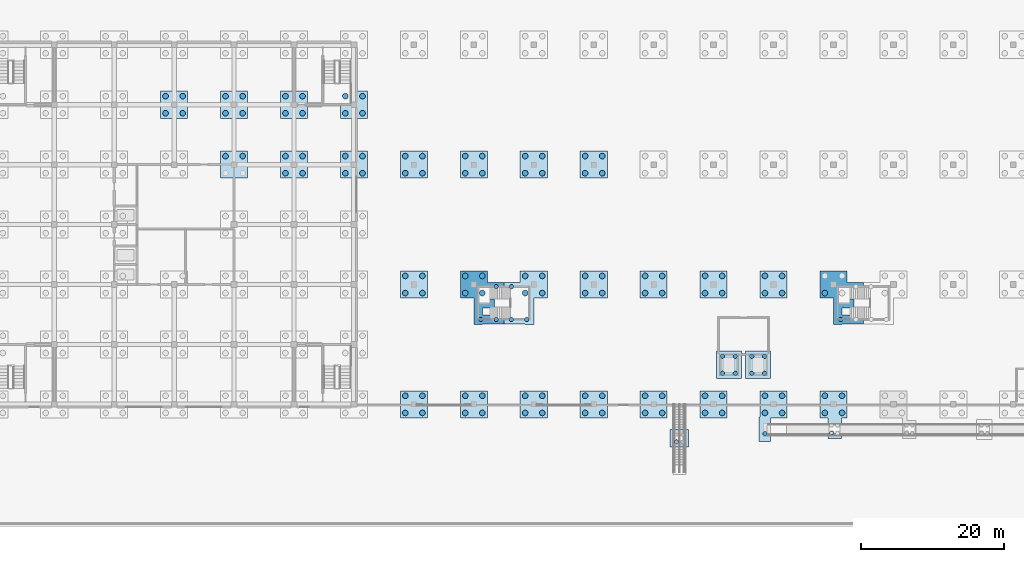
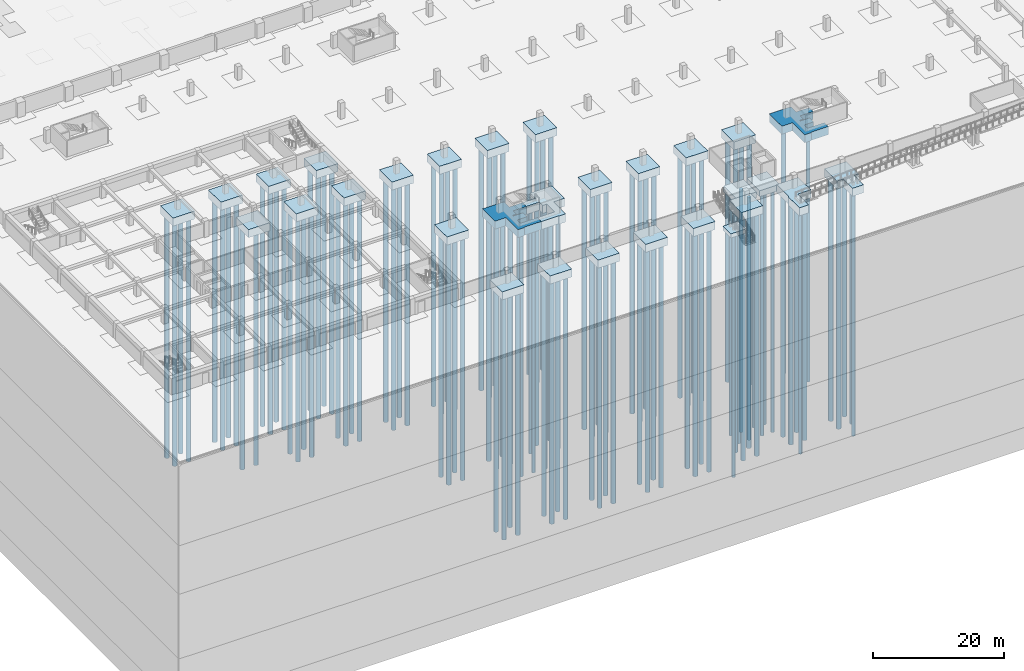
# One storey, part 2 of 67: 121 piles, 30 footings.
"""IFC4 building model written with IfcOpenShell, lengths in metres."""

from ifc_helpers import new_model, si_unit, direction, frame, origin, origin_2d, place, context, subcontext, project, spatial, polyline, circle, outline, extrude, material, material_profile, profile_set, type_object, element, save


model = new_model("IFC4")

# Units and contexts
model_context = context("Model", 3, precision=1e-05, world=origin(), true_north=direction((0.0, 1.0)))
body_context = subcontext(model_context, "Body", "Model", "MODEL_VIEW")
ifc_project = project(units=[si_unit("LENGTHUNIT", "METRE"), si_unit("AREAUNIT", "SQUARE_METRE"), si_unit("VOLUMEUNIT", "CUBIC_METRE"), si_unit("PLANEANGLEUNIT", "RADIAN"), si_unit("MASSUNIT", "GRAM", prefix="KILO")], contexts=[model_context])

# Site, building, storey
site_placement = place(None, origin())
site = spatial("IfcSite", under=ifc_project, at=site_placement, CompositionType="ELEMENT")
building_placement = place(site_placement, origin())
building = spatial("IfcBuilding", under=site, at=building_placement, Name="Rain Tree Exposition and Congress Centre", CompositionType="ELEMENT")
storey_placement = place(building_placement, frame((0.0, 0.0, -3.0)))
storey = spatial("IfcBuildingStorey", under=building, at=storey_placement, Name="B1", CompositionType="ELEMENT", Elevation=-3.0)

# Piles
ifc_material_1 = material(Name="Concrete C35/45", Category="concrete")
ifc_material_profile_1 = material_profile(ifc_material_1, circle(Radius=0.300048828125, at=origin_2d()), Name="D600")
ifc_profile_set_1 = profile_set([ifc_material_profile_1], Name="Concrete C35/45")
pile_type_1 = type_object("IfcPileType", Name="Bored pile D600", PredefinedType="BORED", material=ifc_profile_set_1)
for number, where, z_axis, x_axis, name in (
    (1, (68.199951171875, 11.89990234375, -1.425048828125), (0.0, 0.0, -1.0), (1.0, 0.0, 0.0), "Bored pile 0309"),
    (2, (70.333251953125, 11.89990234375, -1.425048828125), (0.0, 0.0, -1.0), (1.0, 0.0, 0.0), "Bored pile 0312"),
    (3, (70.333251953125, 16.5, -1.425048828125), (0.0, 0.0, -1.0), (1.0, 0.0, 0.0), "Bored pile 0313"),
    (4, (72.466796875, 11.89990234375, -1.425048828125), (0.0, 0.0, -1.0), (1.0, 0.0, 0.0), "Bored pile 0314"),
    (5, (72.466796875, 16.5, -1.425048828125), (0.0, 0.0, -1.0), (1.0, 0.0, 0.0), "Bored pile 0315"),
    (6, (74.60009765625, 11.89990234375, -1.425048828125), (0.0, 0.0, -1.0), (1.0, 0.0, 0.0), "Bored pile 0318"),
    (7, (95.60009765625, -5.25, -0.72509765625), (0.0, 0.0, -1.0), (1.0, 0.0, 0.0), "Bored pile 0537"),
    (8, (117.35009765625, -4.0, -1.425048828125), (0.0, 0.0, -1.0), (1.0, 0.0, 0.0), "Bored pile 0714"),
    (9, (108.0, -4.10009765625, -1.425048828125), (0.0, 0.0, -1.0), (1.0, 0.0, 0.0), "Bored pile 0719"),
    (10, (118.60009765625, 11.89990234375, -1.425048828125), (0.0, 0.0, -1.0), (1.0, 0.0, 0.0), "Bored pile 0727"),
    (11, (102.050048828125, 4.35009765625, -2.52490234375), (0.0, 0.0, -1.0), (1.0, 0.0, 0.0), "Bored pile 2427"),
    (12, (102.050048828125, 6.75, -2.52490234375), (0.0, 0.0, -1.0), (1.0, 0.0, 0.0), "Bored pile 2428"),
    (13, (103.85009765625, 4.35009765625, -2.52490234375), (0.0, 0.0, -1.0), (1.0, 0.0, 0.0), "Bored pile 2429"),
    (14, (103.85009765625, 6.75, -2.52490234375), (0.0, 0.0, -1.0), (1.0, 0.0, 0.0), "Bored pile 2430"),
    (15, (106.14990234375, 4.35009765625, -2.52490234375), (0.0, 0.0, -1.0), (1.0, 0.0, 0.0), "Bored pile 2431"),
    (16, (106.14990234375, 6.75, -2.52490234375), (0.0, 0.0, -1.0), (1.0, 0.0, 0.0), "Bored pile 2432"),
    (17, (107.949951171875, 4.35009765625, -2.52490234375), (0.0, 0.0, -1.0), (1.0, 0.0, 0.0), "Bored pile 2433"),
    (18, (107.949951171875, 6.75, -2.52490234375), (0.0, 0.0, -1.0), (1.0, 0.0, 0.0), "Bored pile 2434"),
):
    element("IfcPile", number, at=place(storey_placement, frame(where, z_axis=z_axis, x_axis=x_axis)), inside=storey, type_object=pile_type_1, Name=name, PredefinedType="BORED", context=body_context, shape_type="SweptSolid", body=[
        extrude(circle(Radius=0.300048828125, at=origin_2d()), origin(), (0.0, 0.0, 1.0), 45.074951171875),
    ])
ifc_material_2 = material(Name="Concrete C35/45", Category="concrete")
ifc_material_profile_2 = material_profile(ifc_material_2, circle(Radius=0.39990234375, at=origin_2d()), Name="D800")
ifc_profile_set_2 = profile_set([ifc_material_profile_2], Name="Concrete C35/45")
pile_type_2 = type_object("IfcPileType", Name="Bored pile D800", PredefinedType="BORED", material=ifc_profile_set_2)
for number, where, z_axis, x_axis, name in (
    (19, (32.39990234375, 34.800048828125, -1.425048828125), (0.0, 0.0, -1.0), (1.0, 0.0, 0.0), "Bored pile 0083"),
    (20, (34.800048828125, 34.800048828125, -1.425048828125), (0.0, 0.0, -1.0), (1.0, 0.0, 0.0), "Bored pile 0084"),
    (21, (24.0, 40.800048828125, -1.425048828125), (0.0, 0.0, -1.0), (1.0, 0.0, 0.0), "Bored pile 0109"),
    (22, (26.39990234375, 40.800048828125, -1.425048828125), (0.0, 0.0, -1.0), (1.0, 0.0, 0.0), "Bored pile 0110"),
    (23, (24.0, 43.199951171875, -1.425048828125), (0.0, 0.0, -1.0), (1.0, 0.0, 0.0), "Bored pile 0111"),
    (24, (26.39990234375, 43.199951171875, -1.425048828125), (0.0, 0.0, -1.0), (1.0, 0.0, 0.0), "Bored pile 0112"),
    (25, (57.60009765625, -1.199951171875, -1.425048828125), (0.0, 0.0, -1.0), (1.0, 0.0, 0.0), "Bored pile 0275"),
    (26, (60.0, -1.199951171875, -1.425048828125), (0.0, 0.0, -1.0), (1.0, 0.0, 0.0), "Bored pile 0276"),
    (27, (57.60009765625, 1.199951171875, -1.425048828125), (0.0, 0.0, -1.0), (1.0, 0.0, 0.0), "Bored pile 0277"),
    (28, (60.0, 1.199951171875, -1.425048828125), (0.0, 0.0, -1.0), (1.0, 0.0, 0.0), "Bored pile 0278"),
    (29, (66.0, -1.199951171875, -1.425048828125), (0.0, 0.0, -1.0), (1.0, 0.0, 0.0), "Bored pile 0279"),
    (30, (68.39990234375, -1.199951171875, -1.425048828125), (0.0, 0.0, -1.0), (1.0, 0.0, 0.0), "Bored pile 0280"),
    (31, (66.0, 1.199951171875, -1.425048828125), (0.0, 0.0, -1.0), (1.0, 0.0, 0.0), "Bored pile 0281"),
    (32, (68.39990234375, 1.199951171875, -1.425048828125), (0.0, 0.0, -1.0), (1.0, 0.0, 0.0), "Bored pile 0282"),
    (33, (57.60009765625, 15.60009765625, -1.425048828125), (0.0, 0.0, -1.0), (1.0, 0.0, 0.0), "Bored pile 0299"),
    (34, (60.0, 15.60009765625, -1.425048828125), (0.0, 0.0, -1.0), (1.0, 0.0, 0.0), "Bored pile 0300"),
    (35, (57.60009765625, 18.0, -1.425048828125), (0.0, 0.0, -1.0), (1.0, 0.0, 0.0), "Bored pile 0301"),
    (36, (60.0, 18.0, -1.425048828125), (0.0, 0.0, -1.0), (1.0, 0.0, 0.0), "Bored pile 0302"),
    (37, (66.0, 15.60009765625, -1.425048828125), (0.0, 0.0, -1.0), (1.0, 0.0, 0.0), "Bored pile 0307"),
    (38, (66.0, 18.0, -1.425048828125), (0.0, 0.0, -1.0), (1.0, 0.0, 0.0), "Bored pile 0308"),
    (39, (68.39990234375, 15.60009765625, -1.425048828125), (0.0, 0.0, -1.0), (1.0, 0.0, 0.0), "Bored pile 0310"),
    (40, (68.39990234375, 18.0, -1.425048828125), (0.0, 0.0, -1.0), (1.0, 0.0, 0.0), "Bored pile 0311"),
    (41, (74.39990234375, 15.60009765625, -1.425048828125), (0.0, 0.0, -1.0), (1.0, 0.0, 0.0), "Bored pile 0316"),
    (42, (74.39990234375, 18.0, -1.425048828125), (0.0, 0.0, -1.0), (1.0, 0.0, 0.0), "Bored pile 0317"),
    (43, (76.800048828125, 15.60009765625, -1.425048828125), (0.0, 0.0, -1.0), (1.0, 0.0, 0.0), "Bored pile 0319"),
    (44, (76.800048828125, 18.0, -1.425048828125), (0.0, 0.0, -1.0), (1.0, 0.0, 0.0), "Bored pile 0320"),
    (45, (40.800048828125, 32.39990234375, -1.425048828125), (0.0, 0.0, -1.0), (1.0, 0.0, 0.0), "Bored pile 0333"),
    (46, (43.199951171875, 32.39990234375, -1.425048828125), (0.0, 0.0, -1.0), (1.0, 0.0, 0.0), "Bored pile 0334"),
    (47, (40.800048828125, 34.800048828125, -1.425048828125), (0.0, 0.0, -1.0), (1.0, 0.0, 0.0), "Bored pile 0335"),
    (48, (43.199951171875, 34.800048828125, -1.425048828125), (0.0, 0.0, -1.0), (1.0, 0.0, 0.0), "Bored pile 0336"),
    (49, (66.0, 32.39990234375, -1.425048828125), (0.0, 0.0, -1.0), (1.0, 0.0, 0.0), "Bored pile 0337"),
    (50, (68.39990234375, 32.39990234375, -1.425048828125), (0.0, 0.0, -1.0), (1.0, 0.0, 0.0), "Bored pile 0338"),
    (51, (66.0, 34.800048828125, -1.425048828125), (0.0, 0.0, -1.0), (1.0, 0.0, 0.0), "Bored pile 0339"),
    (52, (68.39990234375, 34.800048828125, -1.425048828125), (0.0, 0.0, -1.0), (1.0, 0.0, 0.0), "Bored pile 0340"),
    (53, (49.199951171875, 32.39990234375, -1.425048828125), (0.0, 0.0, -1.0), (1.0, 0.0, 0.0), "Bored pile 0341"),
    (54, (51.60009765625, 32.39990234375, -1.425048828125), (0.0, 0.0, -1.0), (1.0, 0.0, 0.0), "Bored pile 0342"),
    (55, (49.199951171875, 34.800048828125, -1.425048828125), (0.0, 0.0, -1.0), (1.0, 0.0, 0.0), "Bored pile 0343"),
    (56, (51.60009765625, 34.800048828125, -1.425048828125), (0.0, 0.0, -1.0), (1.0, 0.0, 0.0), "Bored pile 0344"),
    (57, (57.60009765625, 32.39990234375, -1.425048828125), (0.0, 0.0, -1.0), (1.0, 0.0, 0.0), "Bored pile 0345"),
    (58, (60.0, 32.39990234375, -1.425048828125), (0.0, 0.0, -1.0), (1.0, 0.0, 0.0), "Bored pile 0346"),
    (59, (57.60009765625, 34.800048828125, -1.425048828125), (0.0, 0.0, -1.0), (1.0, 0.0, 0.0), "Bored pile 0347"),
    (60, (60.0, 34.800048828125, -1.425048828125), (0.0, 0.0, -1.0), (1.0, 0.0, 0.0), "Bored pile 0348"),
    (61, (32.39990234375, 40.800048828125, -1.425048828125), (0.0, 0.0, -1.0), (1.0, 0.0, 0.0), "Bored pile 0349"),
    (62, (34.800048828125, 40.800048828125, -1.425048828125), (0.0, 0.0, -1.0), (1.0, 0.0, 0.0), "Bored pile 0350"),
    (63, (32.39990234375, 43.199951171875, -1.425048828125), (0.0, 0.0, -1.0), (1.0, 0.0, 0.0), "Bored pile 0351"),
    (64, (34.800048828125, 43.199951171875, -1.425048828125), (0.0, 0.0, -1.0), (1.0, 0.0, 0.0), "Bored pile 0352"),
    (65, (49.199951171875, 40.800048828125, -1.425048828125), (0.0, 0.0, -1.0), (1.0, 0.0, 0.0), "Bored pile 0353"),
    (66, (51.60009765625, 40.800048828125, -1.425048828125), (0.0, 0.0, -1.0), (1.0, 0.0, 0.0), "Bored pile 0354"),
    (67, (49.199951171875, 43.199951171875, -1.425048828125), (0.0, 0.0, -1.0), (1.0, 0.0, 0.0), "Bored pile 0355"),
    (68, (51.60009765625, 43.199951171875, -1.425048828125), (0.0, 0.0, -1.0), (1.0, 0.0, 0.0), "Bored pile 0356"),
    (69, (40.800048828125, 40.800048828125, -1.425048828125), (0.0, 0.0, -1.0), (1.0, 0.0, 0.0), "Bored pile 0357"),
    (70, (43.199951171875, 40.800048828125, -1.425048828125), (0.0, 0.0, -1.0), (1.0, 0.0, 0.0), "Bored pile 0358"),
    (71, (40.800048828125, 43.199951171875, -1.425048828125), (0.0, 0.0, -1.0), (1.0, 0.0, 0.0), "Bored pile 0359"),
    (72, (43.199951171875, 43.199951171875, -1.425048828125), (0.0, 0.0, -1.0), (1.0, 0.0, 0.0), "Bored pile 0360"),
    (73, (99.60009765625, -1.199951171875, -1.425048828125), (0.0, 0.0, -1.0), (1.0, 0.0, 0.0), "Bored pile 0538"),
    (74, (102.0, -1.199951171875, -1.425048828125), (0.0, 0.0, -1.0), (1.0, 0.0, 0.0), "Bored pile 0539"),
    (75, (99.60009765625, 1.199951171875, -1.425048828125), (0.0, 0.0, -1.0), (1.0, 0.0, 0.0), "Bored pile 0540"),
    (76, (102.0, 1.199951171875, -1.425048828125), (0.0, 0.0, -1.0), (1.0, 0.0, 0.0), "Bored pile 0541"),
    (77, (91.199951171875, -1.199951171875, -1.425048828125), (0.0, 0.0, -1.0), (1.0, 0.0, 0.0), "Bored pile 0542"),
    (78, (93.60009765625, -1.199951171875, -1.425048828125), (0.0, 0.0, -1.0), (1.0, 0.0, 0.0), "Bored pile 0543"),
    (79, (91.199951171875, 1.199951171875, -1.425048828125), (0.0, 0.0, -1.0), (1.0, 0.0, 0.0), "Bored pile 0544"),
    (80, (93.60009765625, 1.199951171875, -1.425048828125), (0.0, 0.0, -1.0), (1.0, 0.0, 0.0), "Bored pile 0545"),
    (81, (74.39990234375, -1.199951171875, -1.425048828125), (0.0, 0.0, -1.0), (1.0, 0.0, 0.0), "Bored pile 0546"),
    (82, (76.800048828125, -1.199951171875, -1.425048828125), (0.0, 0.0, -1.0), (1.0, 0.0, 0.0), "Bored pile 0547"),
    (83, (74.39990234375, 1.199951171875, -1.425048828125), (0.0, 0.0, -1.0), (1.0, 0.0, 0.0), "Bored pile 0548"),
    (84, (76.800048828125, 1.199951171875, -1.425048828125), (0.0, 0.0, -1.0), (1.0, 0.0, 0.0), "Bored pile 0549"),
    (85, (82.800048828125, -1.199951171875, -1.425048828125), (0.0, 0.0, -1.0), (1.0, 0.0, 0.0), "Bored pile 0550"),
    (86, (85.199951171875, -1.199951171875, -1.425048828125), (0.0, 0.0, -1.0), (1.0, 0.0, 0.0), "Bored pile 0551"),
    (87, (82.800048828125, 1.199951171875, -1.425048828125), (0.0, 0.0, -1.0), (1.0, 0.0, 0.0), "Bored pile 0552"),
    (88, (85.199951171875, 1.199951171875, -1.425048828125), (0.0, 0.0, -1.0), (1.0, 0.0, 0.0), "Bored pile 0553"),
    (89, (82.800048828125, 15.60009765625, -1.425048828125), (0.0, 0.0, -1.0), (1.0, 0.0, 0.0), "Bored pile 0554"),
    (90, (85.199951171875, 15.60009765625, -1.425048828125), (0.0, 0.0, -1.0), (1.0, 0.0, 0.0), "Bored pile 0555"),
    (91, (82.800048828125, 18.0, -1.425048828125), (0.0, 0.0, -1.0), (1.0, 0.0, 0.0), "Bored pile 0556"),
    (92, (85.199951171875, 18.0, -1.425048828125), (0.0, 0.0, -1.0), (1.0, 0.0, 0.0), "Bored pile 0557"),
    (93, (91.199951171875, 15.60009765625, -1.425048828125), (0.0, 0.0, -1.0), (1.0, 0.0, 0.0), "Bored pile 0558"),
    (94, (93.60009765625, 15.60009765625, -1.425048828125), (0.0, 0.0, -1.0), (1.0, 0.0, 0.0), "Bored pile 0559"),
    (95, (91.199951171875, 18.0, -1.425048828125), (0.0, 0.0, -1.0), (1.0, 0.0, 0.0), "Bored pile 0560"),
    (96, (93.60009765625, 18.0, -1.425048828125), (0.0, 0.0, -1.0), (1.0, 0.0, 0.0), "Bored pile 0561"),
    (97, (99.60009765625, 15.60009765625, -1.425048828125), (0.0, 0.0, -1.0), (1.0, 0.0, 0.0), "Bored pile 0562"),
    (98, (102.0, 15.60009765625, -1.425048828125), (0.0, 0.0, -1.0), (1.0, 0.0, 0.0), "Bored pile 0563"),
    (99, (99.60009765625, 18.0, -1.425048828125), (0.0, 0.0, -1.0), (1.0, 0.0, 0.0), "Bored pile 0564"),
    (100, (102.0, 18.0, -1.425048828125), (0.0, 0.0, -1.0), (1.0, 0.0, 0.0), "Bored pile 0565"),
    (101, (82.800048828125, 32.39990234375, -1.425048828125), (0.0, 0.0, -1.0), (1.0, 0.0, 0.0), "Bored pile 0566"),
    (102, (85.199951171875, 32.39990234375, -1.425048828125), (0.0, 0.0, -1.0), (1.0, 0.0, 0.0), "Bored pile 0567"),
    (103, (82.800048828125, 34.800048828125, -1.425048828125), (0.0, 0.0, -1.0), (1.0, 0.0, 0.0), "Bored pile 0568"),
    (104, (85.199951171875, 34.800048828125, -1.425048828125), (0.0, 0.0, -1.0), (1.0, 0.0, 0.0), "Bored pile 0569"),
    (105, (74.39990234375, 32.39990234375, -1.425048828125), (0.0, 0.0, -1.0), (1.0, 0.0, 0.0), "Bored pile 0570"),
    (106, (76.800048828125, 32.39990234375, -1.425048828125), (0.0, 0.0, -1.0), (1.0, 0.0, 0.0), "Bored pile 0571"),
    (107, (74.39990234375, 34.800048828125, -1.425048828125), (0.0, 0.0, -1.0), (1.0, 0.0, 0.0), "Bored pile 0572"),
    (108, (76.800048828125, 34.800048828125, -1.425048828125), (0.0, 0.0, -1.0), (1.0, 0.0, 0.0), "Bored pile 0573"),
    (109, (116.39990234375, -1.199951171875, -1.425048828125), (0.0, 0.0, -1.0), (1.0, 0.0, 0.0), "Bored pile 0710"),
    (110, (118.800048828125, -1.199951171875, -1.425048828125), (0.0, 0.0, -1.0), (1.0, 0.0, 0.0), "Bored pile 0711"),
    (111, (116.39990234375, 1.199951171875, -1.425048828125), (0.0, 0.0, -1.0), (1.0, 0.0, 0.0), "Bored pile 0712"),
    (112, (118.800048828125, 1.199951171875, -1.425048828125), (0.0, 0.0, -1.0), (1.0, 0.0, 0.0), "Bored pile 0713"),
    (113, (108.0, -1.199951171875, -1.425048828125), (0.0, 0.0, -1.0), (1.0, 0.0, 0.0), "Bored pile 0715"),
    (114, (110.39990234375, -1.199951171875, -1.425048828125), (0.0, 0.0, -1.0), (1.0, 0.0, 0.0), "Bored pile 0716"),
    (115, (108.0, 1.199951171875, -1.425048828125), (0.0, 0.0, -1.0), (1.0, 0.0, 0.0), "Bored pile 0717"),
    (116, (110.39990234375, 1.199951171875, -1.425048828125), (0.0, 0.0, -1.0), (1.0, 0.0, 0.0), "Bored pile 0718"),
    (117, (116.39990234375, 15.60009765625, -1.425048828125), (0.0, 0.0, -1.0), (1.0, 0.0, 0.0), "Bored pile 0725"),
    (118, (108.0, 15.60009765625, -1.425048828125), (0.0, 0.0, -1.0), (1.0, 0.0, 0.0), "Bored pile 0739"),
    (119, (110.39990234375, 15.60009765625, -1.425048828125), (0.0, 0.0, -1.0), (1.0, 0.0, 0.0), "Bored pile 0740"),
    (120, (108.0, 18.0, -1.425048828125), (0.0, 0.0, -1.0), (1.0, 0.0, 0.0), "Bored pile 0741"),
    (121, (110.39990234375, 18.0, -1.425048828125), (0.0, 0.0, -1.0), (1.0, 0.0, 0.0), "Bored pile 0742"),
):
    element("IfcPile", number, at=place(storey_placement, frame(where, z_axis=z_axis, x_axis=x_axis)), inside=storey, type_object=pile_type_2, Name=name, PredefinedType="BORED", context=body_context, shape_type="SweptSolid", body=[
        extrude(circle(Radius=0.39990234375, at=origin_2d()), origin(), (0.0, 0.0, 1.0), 45.074951171875),
    ])

# Footings
ifc_material_3 = material(Name="Concrete C35/45", Category="concrete")
footing_type_1 = type_object("IfcFootingType", Name="Pile cap 1100 thick", PredefinedType="PILE_CAP", material=ifc_material_3)
footing_1_placement = place(storey_placement, frame((0.0, 0.0, -2.60009765625)))
element("IfcFooting", 122, at=footing_1_placement, inside=storey, type_object=footing_type_1, Name="Pile cap 379", PredefinedType="PILE_CAP", context=body_context, shape_type="SweptSolid", body=[
    extrude(outline(polyline([(104.699951171875, 3.60009765625), (104.699951171875, 7.5), (101.199951171875, 7.5), (101.199951171875, 3.60009765625), (104.699951171875, 3.60009765625)])), origin(), (0.0, 0.0, 1.0), 1.10009765625),
])
footing_2_placement = place(storey_placement, frame((0.0, 0.0, -2.60009765625)))
element("IfcFooting", 123, at=footing_2_placement, inside=storey, type_object=footing_type_1, Name="Pile cap 380", PredefinedType="PILE_CAP", context=body_context, shape_type="SweptSolid", body=[
    extrude(outline(polyline([(108.800048828125, 3.60009765625), (108.800048828125, 7.5), (105.300048828125, 7.5), (105.300048828125, 3.60009765625), (108.800048828125, 3.60009765625)])), origin(), (0.0, 0.0, 1.0), 1.10009765625),
])
ifc_material_4 = material(Name="Concrete C35/45", Category="concrete")
footing_type_2 = type_object("IfcFootingType", Name="Pile cap 1500 thick", PredefinedType="PILE_CAP", material=ifc_material_4)
footing_3_placement = place(storey_placement, frame((0.0, 0.0, -1.5)))
element("IfcFooting", 124, at=footing_3_placement, inside=storey, type_object=footing_type_2, Name="Pile cap 021", PredefinedType="PILE_CAP", context=body_context, shape_type="SweptSolid", body=[
    extrude(outline(polyline([(35.5, 31.699951171875), (35.5, 35.5), (31.699951171875, 35.5), (31.699951171875, 31.699951171875), (35.5, 31.699951171875)])), origin(), (0.0, 0.0, 1.0), 1.5),
])
footing_4_placement = place(storey_placement, frame((0.0, 0.0, -1.5)))
element("IfcFooting", 125, at=footing_4_placement, inside=storey, type_object=footing_type_2, Name="Pile cap 028", PredefinedType="PILE_CAP", context=body_context, shape_type="SweptSolid", body=[
    extrude(outline(polyline([(27.10009765625, 40.10009765625), (27.10009765625, 43.89990234375), (23.300048828125, 43.89990234375), (23.300048828125, 40.10009765625), (27.10009765625, 40.10009765625)])), origin(), (0.0, 0.0, 1.0), 1.5),
])
footing_5_placement = place(storey_placement, frame((0.0, 0.0, -1.5)))
element("IfcFooting", 126, at=footing_5_placement, inside=storey, type_object=footing_type_2, Name="Pile cap 055", PredefinedType="PILE_CAP", context=body_context, shape_type="SweptSolid", body=[
    extrude(outline(polyline([(60.699951171875, -1.89990234375), (60.699951171875, 1.89990234375), (56.89990234375, 1.89990234375), (56.89990234375, -1.89990234375), (60.699951171875, -1.89990234375)])), origin(), (0.0, 0.0, 1.0), 1.5),
])
footing_6_placement = place(storey_placement, frame((0.0, 0.0, -1.5)))
element("IfcFooting", 127, at=footing_6_placement, inside=storey, type_object=footing_type_2, Name="Pile cap 056", PredefinedType="PILE_CAP", context=body_context, shape_type="SweptSolid", body=[
    extrude(outline(polyline([(69.10009765625, -1.89990234375), (69.10009765625, 1.89990234375), (65.300048828125, 1.89990234375), (65.300048828125, -1.89990234375), (69.10009765625, -1.89990234375)])), origin(), (0.0, 0.0, 1.0), 1.5),
])
footing_7_placement = place(storey_placement, frame((0.0, 0.0, -1.5)))
element("IfcFooting", 128, at=footing_7_placement, inside=storey, type_object=footing_type_2, Name="Pile cap 061", PredefinedType="PILE_CAP", context=body_context, shape_type="SweptSolid", body=[
    extrude(outline(polyline([(60.699951171875, 14.89990234375), (60.699951171875, 18.699951171875), (56.89990234375, 18.699951171875), (56.89990234375, 14.89990234375), (60.699951171875, 14.89990234375)])), origin(), (0.0, 0.0, 1.0), 1.5),
])
footing_8_placement = place(storey_placement, frame((0.0, 0.0, -1.5)))
element("IfcFooting", 129, at=footing_8_placement, inside=storey, type_object=footing_type_2, Name="Pile cap 066", PredefinedType="PILE_CAP", context=body_context, shape_type="SweptSolid", body=[
    extrude(outline(polyline([(43.89990234375, 31.699951171875), (43.89990234375, 35.5), (40.10009765625, 35.5), (40.10009765625, 31.699951171875), (43.89990234375, 31.699951171875)])), origin(), (0.0, 0.0, 1.0), 1.5),
])
footing_9_placement = place(storey_placement, frame((0.0, 0.0, -1.5)))
element("IfcFooting", 130, at=footing_9_placement, inside=storey, type_object=footing_type_2, Name="Pile cap 067", PredefinedType="PILE_CAP", context=body_context, shape_type="SweptSolid", body=[
    extrude(outline(polyline([(69.10009765625, 31.699951171875), (69.10009765625, 35.5), (65.300048828125, 35.5), (65.300048828125, 31.699951171875), (69.10009765625, 31.699951171875)])), origin(), (0.0, 0.0, 1.0), 1.5),
])
footing_10_placement = place(storey_placement, frame((0.0, 0.0, -1.5)))
element("IfcFooting", 131, at=footing_10_placement, inside=storey, type_object=footing_type_2, Name="Pile cap 068", PredefinedType="PILE_CAP", context=body_context, shape_type="SweptSolid", body=[
    extrude(outline(polyline([(52.300048828125, 31.699951171875), (52.300048828125, 35.5), (48.5, 35.5), (48.5, 31.699951171875), (52.300048828125, 31.699951171875)])), origin(), (0.0, 0.0, 1.0), 1.5),
])
footing_11_placement = place(storey_placement, frame((0.0, 0.0, -1.5)))
element("IfcFooting", 132, at=footing_11_placement, inside=storey, type_object=footing_type_2, Name="Pile cap 069", PredefinedType="PILE_CAP", context=body_context, shape_type="SweptSolid", body=[
    extrude(outline(polyline([(60.699951171875, 31.699951171875), (60.699951171875, 35.5), (56.89990234375, 35.5), (56.89990234375, 31.699951171875), (60.699951171875, 31.699951171875)])), origin(), (0.0, 0.0, 1.0), 1.5),
])
footing_12_placement = place(storey_placement, frame((0.0, 0.0, -1.5)))
element("IfcFooting", 133, at=footing_12_placement, inside=storey, type_object=footing_type_2, Name="Pile cap 070", PredefinedType="PILE_CAP", context=body_context, shape_type="SweptSolid", body=[
    extrude(outline(polyline([(35.5, 40.10009765625), (35.5, 43.89990234375), (31.699951171875, 43.89990234375), (31.699951171875, 40.10009765625), (35.5, 40.10009765625)])), origin(), (0.0, 0.0, 1.0), 1.5),
])
footing_13_placement = place(storey_placement, frame((0.0, 0.0, -1.5)))
element("IfcFooting", 134, at=footing_13_placement, inside=storey, type_object=footing_type_2, Name="Pile cap 071", PredefinedType="PILE_CAP", context=body_context, shape_type="SweptSolid", body=[
    extrude(outline(polyline([(52.300048828125, 40.10009765625), (52.300048828125, 43.89990234375), (48.5, 43.89990234375), (48.5, 40.10009765625), (52.300048828125, 40.10009765625)])), origin(), (0.0, 0.0, 1.0), 1.5),
])
footing_14_placement = place(storey_placement, frame((0.0, 0.0, -1.5)))
element("IfcFooting", 135, at=footing_14_placement, inside=storey, type_object=footing_type_2, Name="Pile cap 072", PredefinedType="PILE_CAP", context=body_context, shape_type="SweptSolid", body=[
    extrude(outline(polyline([(43.89990234375, 40.10009765625), (43.89990234375, 43.89990234375), (40.10009765625, 43.89990234375), (40.10009765625, 40.10009765625), (43.89990234375, 40.10009765625)])), origin(), (0.0, 0.0, 1.0), 1.5),
])
footing_15_placement = place(storey_placement, frame((0.0, 0.0, -1.5)))
element("IfcFooting", 136, at=footing_15_placement, inside=storey, type_object=footing_type_2, Name="Pile cap 102", PredefinedType="PILE_CAP", context=body_context, shape_type="SweptSolid", body=[
    extrude(outline(polyline([(102.699951171875, -1.89990234375), (102.699951171875, 1.89990234375), (98.89990234375, 1.89990234375), (98.89990234375, -1.89990234375), (102.699951171875, -1.89990234375)])), origin(), (0.0, 0.0, 1.0), 1.5),
])
footing_16_placement = place(storey_placement, frame((0.0, 0.0, -1.5)))
element("IfcFooting", 137, at=footing_16_placement, inside=storey, type_object=footing_type_2, Name="Pile cap 103", PredefinedType="PILE_CAP", context=body_context, shape_type="SweptSolid", body=[
    extrude(outline(polyline([(94.300048828125, -1.89990234375), (94.300048828125, 1.89990234375), (90.5, 1.89990234375), (90.5, -1.89990234375), (94.300048828125, -1.89990234375)])), origin(), (0.0, 0.0, 1.0), 1.5),
])
footing_17_placement = place(storey_placement, frame((0.0, 0.0, -1.5)))
element("IfcFooting", 138, at=footing_17_placement, inside=storey, type_object=footing_type_2, Name="Pile cap 104", PredefinedType="PILE_CAP", context=body_context, shape_type="SweptSolid", body=[
    extrude(outline(polyline([(77.5, -1.89990234375), (77.5, 1.89990234375), (73.699951171875, 1.89990234375), (73.699951171875, -1.89990234375), (77.5, -1.89990234375)])), origin(), (0.0, 0.0, 1.0), 1.5),
])
footing_18_placement = place(storey_placement, frame((0.0, 0.0, -1.5)))
element("IfcFooting", 139, at=footing_18_placement, inside=storey, type_object=footing_type_2, Name="Pile cap 105", PredefinedType="PILE_CAP", context=body_context, shape_type="SweptSolid", body=[
    extrude(outline(polyline([(85.89990234375, -1.89990234375), (85.89990234375, 1.89990234375), (82.10009765625, 1.89990234375), (82.10009765625, -1.89990234375), (85.89990234375, -1.89990234375)])), origin(), (0.0, 0.0, 1.0), 1.5),
])
footing_19_placement = place(storey_placement, frame((0.0, 0.0, -1.5)))
element("IfcFooting", 140, at=footing_19_placement, inside=storey, type_object=footing_type_2, Name="Pile cap 106", PredefinedType="PILE_CAP", context=body_context, shape_type="SweptSolid", body=[
    extrude(outline(polyline([(85.89990234375, 14.89990234375), (85.89990234375, 18.699951171875), (82.10009765625, 18.699951171875), (82.10009765625, 14.89990234375), (85.89990234375, 14.89990234375)])), origin(), (0.0, 0.0, 1.0), 1.5),
])
footing_20_placement = place(storey_placement, frame((0.0, 0.0, -1.5)))
element("IfcFooting", 141, at=footing_20_placement, inside=storey, type_object=footing_type_2, Name="Pile cap 107", PredefinedType="PILE_CAP", context=body_context, shape_type="SweptSolid", body=[
    extrude(outline(polyline([(94.300048828125, 14.89990234375), (94.300048828125, 18.699951171875), (90.5, 18.699951171875), (90.5, 14.89990234375), (94.300048828125, 14.89990234375)])), origin(), (0.0, 0.0, 1.0), 1.5),
])
footing_21_placement = place(storey_placement, frame((0.0, 0.0, -1.5)))
element("IfcFooting", 142, at=footing_21_placement, inside=storey, type_object=footing_type_2, Name="Pile cap 108", PredefinedType="PILE_CAP", context=body_context, shape_type="SweptSolid", body=[
    extrude(outline(polyline([(102.699951171875, 14.89990234375), (102.699951171875, 18.699951171875), (98.89990234375, 18.699951171875), (98.89990234375, 14.89990234375), (102.699951171875, 14.89990234375)])), origin(), (0.0, 0.0, 1.0), 1.5),
])
footing_22_placement = place(storey_placement, frame((0.0, 0.0, -1.5)))
element("IfcFooting", 143, at=footing_22_placement, inside=storey, type_object=footing_type_2, Name="Pile cap 109", PredefinedType="PILE_CAP", context=body_context, shape_type="SweptSolid", body=[
    extrude(outline(polyline([(85.89990234375, 31.699951171875), (85.89990234375, 35.5), (82.10009765625, 35.5), (82.10009765625, 31.699951171875), (85.89990234375, 31.699951171875)])), origin(), (0.0, 0.0, 1.0), 1.5),
])
footing_23_placement = place(storey_placement, frame((0.0, 0.0, -1.5)))
element("IfcFooting", 144, at=footing_23_placement, inside=storey, type_object=footing_type_2, Name="Pile cap 110", PredefinedType="PILE_CAP", context=body_context, shape_type="SweptSolid", body=[
    extrude(outline(polyline([(77.5, 31.699951171875), (77.5, 35.5), (73.699951171875, 35.5), (73.699951171875, 31.699951171875), (77.5, 31.699951171875)])), origin(), (0.0, 0.0, 1.0), 1.5),
])
footing_24_placement = place(storey_placement, frame((0.0, 0.0, -1.5)))
element("IfcFooting", 145, at=footing_24_placement, inside=storey, type_object=footing_type_2, Name="Pile cap 144", PredefinedType="PILE_CAP", context=body_context, shape_type="SweptSolid", body=[
    extrude(outline(polyline([(111.10009765625, 14.89990234375), (111.10009765625, 18.699951171875), (107.300048828125, 18.699951171875), (107.300048828125, 14.89990234375), (111.10009765625, 14.89990234375)])), origin(), (0.0, 0.0, 1.0), 1.5),
])
ifc_material_5 = material(Name="Concrete C35/45", Category="concrete")
footing_type_3 = type_object("IfcFootingType", Name="Strip footing 1500 thick", PredefinedType="STRIP_FOOTING", material=ifc_material_5)
footing_25_placement = place(storey_placement, frame((0.0, 0.0, -1.5)))
element("IfcFooting", 146, at=footing_25_placement, inside=storey, type_object=footing_type_3, Name="Strip footing 005", PredefinedType="STRIP_FOOTING", context=body_context, shape_type="SweptSolid", body=[
    extrude(outline(polyline([(68.39990234375, 11.199951171875), (68.39990234375, 11.300048828125), (71.39990234375, 11.300048828125), (71.39990234375, 12.5), (68.39990234375, 12.5), (68.39990234375, 13.5), (70.10009765625, 13.5), (70.10009765625, 14.699951171875), (69.5, 14.699951171875), (68.39990234375, 14.699951171875), (68.39990234375, 14.89990234375), (69.10009765625, 14.89990234375), (69.10009765625, 15.89990234375), (71.39990234375, 15.89990234375), (71.39990234375, 17.10009765625), (69.10009765625, 17.10009765625), (69.10009765625, 18.699951171875), (65.300048828125, 18.699951171875), (65.300048828125, 14.89990234375), (67.199951171875, 14.89990234375), (67.199951171875, 11.199951171875), (68.39990234375, 11.199951171875)])), origin(), (0.0, 0.0, 1.0), 1.5),
])
footing_26_placement = place(storey_placement, frame((0.0, 0.0, -1.5)))
element("IfcFooting", 147, at=footing_26_placement, inside=storey, type_object=footing_type_3, Name="Strip footing 006", PredefinedType="STRIP_FOOTING", context=body_context, shape_type="SweptSolid", body=[
    extrude(outline(polyline([(73.699951171875, 17.10009765625), (71.39990234375, 17.10009765625), (71.39990234375, 15.89990234375), (73.699951171875, 15.89990234375), (73.699951171875, 14.89990234375), (74.39990234375, 14.89990234375), (74.39990234375, 12.5), (71.39990234375, 12.5), (71.39990234375, 11.300048828125), (74.39990234375, 11.300048828125), (74.39990234375, 11.199951171875), (75.60009765625, 11.199951171875), (75.60009765625, 11.800048828125), (75.60009765625, 14.89990234375), (77.5, 14.89990234375), (77.5, 18.699951171875), (73.699951171875, 18.699951171875), (73.699951171875, 17.10009765625)])), origin(), (0.0, 0.0, 1.0), 1.5),
])
footing_27_placement = place(storey_placement, frame((0.0, 0.0, -1.5)))
element("IfcFooting", 148, at=footing_27_placement, inside=storey, type_object=footing_type_3, Name="Strip footing 016", PredefinedType="STRIP_FOOTING", context=body_context, shape_type="SweptSolid", body=[
    extrude(outline(polyline([(116.800048828125, -4.75), (118.699951171875, -4.75), (118.699951171875, -1.89990234375), (119.5, -1.89990234375), (119.5, 1.89990234375), (115.699951171875, 1.89990234375), (115.699951171875, -1.89990234375), (116.800048828125, -1.89990234375), (116.800048828125, -4.75)])), origin(), (0.0, 0.0, 1.0), 1.5),
])
footing_28_placement = place(storey_placement, frame((0.0, 0.0, -1.5)))
element("IfcFooting", 149, at=footing_28_placement, inside=storey, type_object=footing_type_3, Name="Strip footing 017", PredefinedType="STRIP_FOOTING", context=body_context, shape_type="SweptSolid", body=[
    extrude(outline(polyline([(107.199951171875, -1.800048828125), (107.199951171875, -2.60009765625), (107.199951171875, -5.199951171875), (108.800048828125, -5.199951171875), (108.800048828125, -4.39990234375), (108.800048828125, -1.89990234375), (111.10009765625, -1.89990234375), (111.10009765625, 1.89990234375), (107.300048828125, 1.89990234375), (107.300048828125, -1.800048828125), (107.199951171875, -1.800048828125)])), origin(), (0.0, 0.0, 1.0), 1.5),
])
footing_29_placement = place(storey_placement, frame((0.0, 0.0, -1.5)))
element("IfcFooting", 150, at=footing_29_placement, inside=storey, type_object=footing_type_3, Name="Strip footing 020", PredefinedType="STRIP_FOOTING", context=body_context, shape_type="SweptSolid", body=[
    extrude(outline(polyline([(118.800048828125, 11.199951171875), (118.800048828125, 11.300048828125), (121.800048828125, 11.300048828125), (121.800048828125, 12.5), (118.800048828125, 12.5), (118.800048828125, 13.5), (120.5, 13.5), (120.5, 14.699951171875), (119.89990234375, 14.699951171875), (118.800048828125, 14.699951171875), (118.800048828125, 14.89990234375), (119.5, 14.89990234375), (119.5, 15.89990234375), (121.800048828125, 15.89990234375), (121.800048828125, 17.10009765625), (119.5, 17.10009765625), (119.5, 18.699951171875), (115.699951171875, 18.699951171875), (115.699951171875, 14.89990234375), (117.60009765625, 14.89990234375), (117.60009765625, 11.199951171875), (118.800048828125, 11.199951171875)])), origin(), (0.0, 0.0, 1.0), 1.5),
])
ifc_material_6 = material(Name="Concrete C35/45", Category="concrete")
footing_type_4 = type_object("IfcFootingType", Name="Strip footing 800 thick", PredefinedType="STRIP_FOOTING", material=ifc_material_6)
footing_30_placement = place(storey_placement, frame((0.0, 0.0, -0.800048828125)))
element("IfcFooting", 151, at=footing_30_placement, inside=storey, type_object=footing_type_4, Name="Strip footing 015", PredefinedType="STRIP_FOOTING", context=body_context, shape_type="SweptSolid", body=[
    extrude(outline(polyline([(97.300048828125, -4.949951171875), (97.300048828125, -4.550048828125), (97.300048828125, -3.550048828125), (96.60009765625, -3.550048828125), (96.5, -3.550048828125), (95.800048828125, -3.550048828125), (95.5, -3.550048828125), (94.699951171875, -3.550048828125), (94.699951171875, -4.550048828125), (94.699951171875, -4.949951171875), (94.699951171875, -5.949951171875), (95.39990234375, -5.949951171875), (95.5, -5.949951171875), (96.199951171875, -5.949951171875), (96.5, -5.949951171875), (97.300048828125, -5.949951171875), (97.300048828125, -4.949951171875)])), origin(), (0.0, 0.0, 1.0), 0.800048828125),
])

save(model, "model.ifc")
